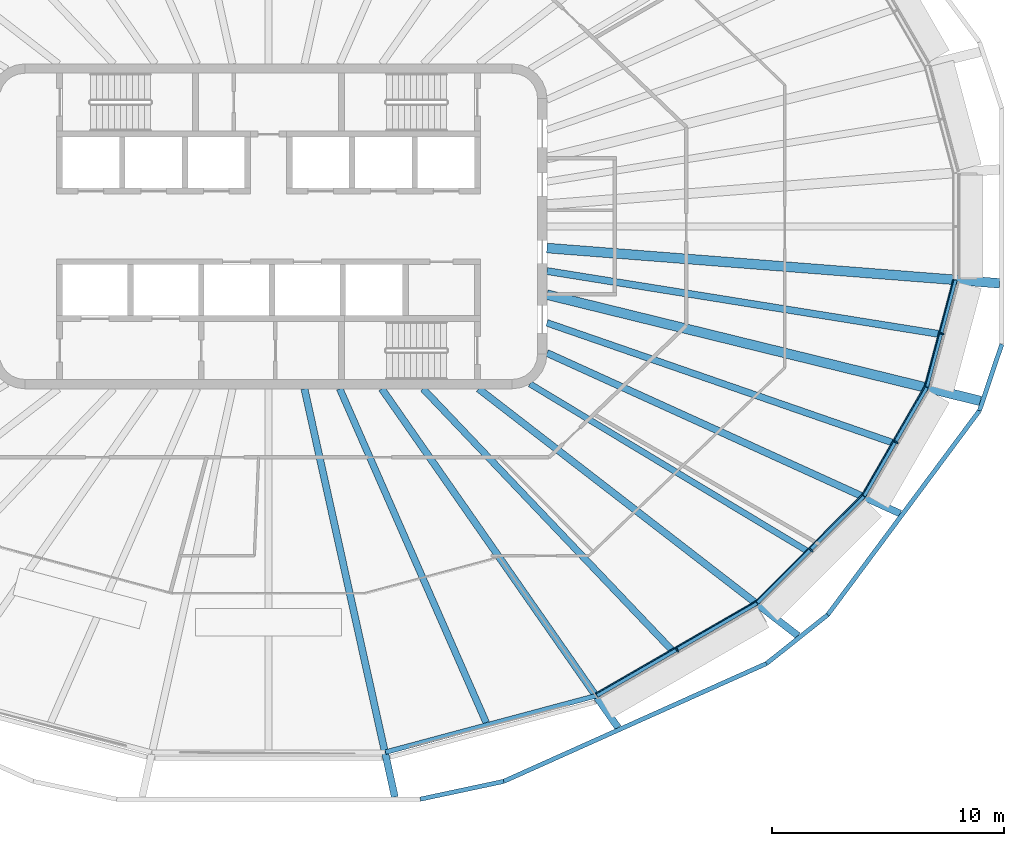
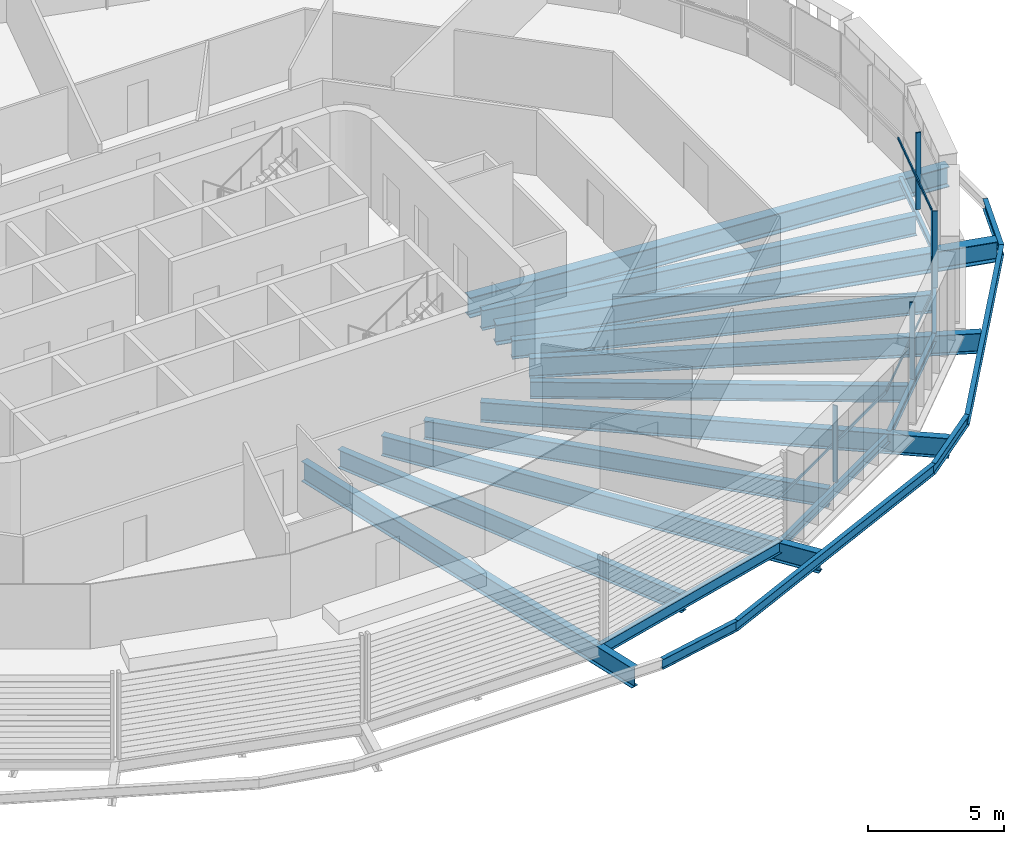
# One storey, part 4 of 20: 21 beams, 8 members, 4 elements without a shape of their own.
"""IFC4 building model written with IfcOpenShell, lengths in metres."""

from ifc_helpers import new_model, si_unit, direction, frame, origin, origin_2d, place, context, subcontext, project, spatial, rectangle, i_section, extrude, material, layer, layer_set, material_profile, profile_set, type_object, element, aggregate, save


model = new_model("IFC4")

# Units and contexts
model_context = context("Model", 3, precision=1e-05, world=origin(), true_north=direction((0.0, 1.0)))
body_context = subcontext(model_context, "Body", "Model", "MODEL_VIEW")
ifc_project = project(units=[si_unit("LENGTHUNIT", "METRE"), si_unit("AREAUNIT", "SQUARE_METRE"), si_unit("VOLUMEUNIT", "CUBIC_METRE"), si_unit("PLANEANGLEUNIT", "RADIAN"), si_unit("MASSUNIT", "GRAM", prefix="KILO")], contexts=[model_context])

# Site, building, storey
site_placement = place(None, origin())
site = spatial("IfcSite", under=ifc_project, at=site_placement, CompositionType="ELEMENT")
building_placement = place(site_placement, origin())
building = spatial("IfcBuilding", under=site, at=building_placement, Name="Sahrelin Media Tower", CompositionType="ELEMENT")
storey_placement = place(building_placement, frame((0.0, 0.0, 271.0)))
storey = spatial("IfcBuildingStorey", under=building, at=storey_placement, Name="L59", CompositionType="ELEMENT", Elevation=271.0)

# Beams
ifc_material_1 = material(Name="Steel S355", Category="steel")
ifc_material_profile_1 = material_profile(ifc_material_1, i_section(OverallWidth=0.14599609375, OverallDepth=0.25146484375, WebThickness=0.006103515625, FlangeThickness=0.008544921875, FilletRadius=0.007568359375, at=origin_2d()), Name="UB 254x146x31")
ifc_profile_set_1 = profile_set([ifc_material_profile_1], Name="Steel S355")
beam_type_1 = type_object("IfcBeamType", Name="Edge beam EB1", PredefinedType="BEAM", material=ifc_profile_set_1)
beam_1_placement = place(storey_placement, frame((29.60400390625, -2.31298828125, -0.275634765625), z_axis=(-0.258765089841, -0.965940281943, 0.0), x_axis=(0.965940281943, -0.258765089841, 0.0)))
element("IfcBeam", 1, at=beam_1_placement, inside=storey, type_object=beam_type_1, Name="Edge beam L59-02", PredefinedType="BEAM", context=body_context, shape_type="SweptSolid", body=[
    extrude(i_section(OverallWidth=0.14599609375, OverallDepth=0.25146484375, WebThickness=0.006103515625, FlangeThickness=0.008544921875, FilletRadius=0.007568359375, at=origin_2d()), origin(), (0.0, 0.0, 1.0), 4.768310546875),
])
ifc_material_profile_2 = material_profile(ifc_material_1, i_section(OverallWidth=0.1650390625, OverallDepth=0.303466796875, WebThickness=0.006103515625, FlangeThickness=0.01025390625, FilletRadius=0.0087890625, at=origin_2d()), Name="UB 305x165x40")
ifc_profile_set_2 = profile_set([ifc_material_profile_2], Name="Steel S355")
beam_type_2 = type_object("IfcBeamType", Name="Edge beam EB2", PredefinedType="BEAM", material=ifc_profile_set_2)
beam_2_placement = place(storey_placement, frame((28.35888671875, -6.945556640625, -0.3017578125), z_axis=(-0.499986373413, -0.866033270955, 0.0), x_axis=(0.866033270955, -0.499986373413, 0.0)))
element("IfcBeam", 2, at=beam_2_placement, inside=storey, type_object=beam_type_2, Name="Edge beam L59-03", PredefinedType="BEAM", context=body_context, shape_type="SweptSolid", body=[
    extrude(i_section(OverallWidth=0.1650390625, OverallDepth=0.303466796875, WebThickness=0.006103515625, FlangeThickness=0.01025390625, FilletRadius=0.0087890625, at=origin_2d()), origin(), (0.0, 0.0, 1.0), 5.391845703125),
])
ifc_material_profile_3 = material_profile(ifc_material_1, i_section(OverallWidth=0.17138671875, OverallDepth=0.35498046875, WebThickness=0.00732421875, FlangeThickness=0.011474609375, FilletRadius=0.01025390625, at=origin_2d()), Name="UB 356x171x51")
ifc_profile_set_3 = profile_set([ifc_material_profile_3], Name="Steel S355")
beam_type_3 = type_object("IfcBeamType", Name="Edge beam EB3", PredefinedType="BEAM", material=ifc_profile_set_3)
beam_3_placement = place(storey_placement, frame((25.6455078125, -11.6376953125, -0.327392578125), z_axis=(-0.707106781187, -0.707106781187, 0.0), x_axis=(0.707106781187, -0.707106781187, 0.0)))
element("IfcBeam", 3, at=beam_3_placement, inside=storey, type_object=beam_type_3, Name="Edge beam L59-04", PredefinedType="BEAM", context=body_context, shape_type="SweptSolid", body=[
    extrude(i_section(OverallWidth=0.17138671875, OverallDepth=0.35498046875, WebThickness=0.00732421875, FlangeThickness=0.011474609375, FilletRadius=0.01025390625, at=origin_2d()), origin(), (0.0, 0.0, 1.0), 6.478271484375),
])
ifc_material_profile_4 = material_profile(ifc_material_1, i_section(OverallWidth=0.177978515625, OverallDepth=0.406494140625, WebThickness=0.0078125, FlangeThickness=0.0126953125, FilletRadius=0.01025390625, at=origin_2d()), Name="UB 406x178x60")
ifc_profile_set_4 = profile_set([ifc_material_profile_4], Name="Steel S355")
beam_type_4 = type_object("IfcBeamType", Name="Edge beam EB4", PredefinedType="BEAM", material=ifc_profile_set_4)
beam_4_placement = place(storey_placement, frame((21.041748046875, -16.236083984375, -0.4033203125), z_axis=(-0.866015400443, -0.500017325895, 0.0), x_axis=(0.500017325895, -0.866015400443, 0.0)))
element("IfcBeam", 4, at=beam_4_placement, inside=storey, type_object=beam_type_4, Name="Edge beam L59-05", PredefinedType="BEAM", context=body_context, shape_type="SweptSolid", body=[
    extrude(i_section(OverallWidth=0.177978515625, OverallDepth=0.406494140625, WebThickness=0.0078125, FlangeThickness=0.0126953125, FilletRadius=0.01025390625, at=origin_2d()), origin(), (0.0, 0.0, 1.0), 7.955322265625),
])
ifc_material_profile_5 = material_profile(ifc_material_1, i_section(OverallWidth=0.208740234375, OverallDepth=0.5283203125, WebThickness=0.009521484375, FlangeThickness=0.01318359375, FilletRadius=0.0126953125, at=origin_2d()), Name="UB 533x210x82")
ifc_profile_set_5 = profile_set([ifc_material_profile_5], Name="Steel S355")
beam_type_5 = type_object("IfcBeamType", Name="Edge beam EB6", PredefinedType="BEAM", material=ifc_profile_set_5)
beam_5_placement = place(storey_placement, frame((14.125732421875, -20.224853515625, -0.464111328125), z_axis=(-0.96592475054, -0.25882305982, 0.0), x_axis=(0.25882305982, -0.96592475054, 0.0)))
element("IfcBeam", 5, at=beam_5_placement, inside=storey, type_object=beam_type_5, Name="Edge beam L59-06", PredefinedType="BEAM", context=body_context, shape_type="SweptSolid", body=[
    extrude(i_section(OverallWidth=0.208740234375, OverallDepth=0.5283203125, WebThickness=0.009521484375, FlangeThickness=0.01318359375, FilletRadius=0.0126953125, at=origin_2d()), origin(), (0.0, 0.0, 1.0), 9.400634765625),
])

# Curtain wall, member
ifc_material_2 = material(Name="Champagne anodised aluminium 6063-T6", Category="aluminium")
ifc_layer = layer(ifc_material_2, 0.14990234375)
ifc_layer_set = layer_set([ifc_layer], Name="Tower ribbon curtain wall")
curtain_wall_type = type_object("IfcCurtainWallType", Name="Tower ribbon curtain wall", PredefinedType="NOTDEFINED", material=ifc_layer_set)
curtain_wall_1_placement = place(storey_placement, frame((17.672119140625, -18.354736328125, 0.0), z_axis=(0.0, 0.0, 1.0), x_axis=(1.0, 0.0, 0.0)))
curtain_wall_1 = element("IfcCurtainWall", 6, at=curtain_wall_1_placement, inside=storey, type_object=curtain_wall_type, Name="L59:CW:L59-20", PredefinedType="NOTDEFINED")
ifc_material_profile_6 = material_profile(ifc_material_2, rectangle(XDim=0.06005859375, YDim=0.199951171875, at=origin_2d()), Name="Mullion 60x200")
ifc_profile_set_6 = profile_set([ifc_material_profile_6], Name="Champagne anodised aluminium 6063-T6")
member_type_1 = type_object("IfcMemberType", Name="Mullion 60x200 CW1C", PredefinedType="MULLION", material=ifc_profile_set_6)
member_1_placement = place(storey_placement, frame((17.612060546875, -18.2509765625, 0.0), z_axis=(0.0, 0.0, 1.0), x_axis=(0.866028021766, 0.499995465495, 0.0)))
member_1 = element("IfcMember", 7, at=member_1_placement, type_object=member_type_1, Name="L59:CWM:L59-20", PredefinedType="MULLION", context=body_context, shape_type="SweptSolid", body=[
    extrude(rectangle(XDim=0.06005859375, YDim=0.199951171875, at=origin_2d()), origin(), (0.0, 0.0, 1.0), 3.448486328125),
])

curtain_wall_2_placement = place(storey_placement, frame((23.461181640625, -14.0341796875, 0.0), z_axis=(0.0, 0.0, 1.0), x_axis=(1.0, 0.0, 0.0)))
curtain_wall_2 = element("IfcCurtainWall", 8, at=curtain_wall_2_placement, inside=storey, type_object=curtain_wall_type, Name="L59:CW:L59-21", PredefinedType="NOTDEFINED")
member_2_placement = place(storey_placement, frame((23.376220703125, -13.949462890625, 0.0), z_axis=(0.0, 0.0, 1.0), x_axis=(0.707114185953, 0.707099376343, 0.0)))
member_2 = element("IfcMember", 9, at=member_2_placement, type_object=member_type_1, Name="L59:CWM:L59-21", PredefinedType="MULLION", context=body_context, shape_type="SweptSolid", body=[
    extrude(rectangle(XDim=0.06005859375, YDim=0.199951171875, at=origin_2d()), origin(), (0.0, 0.0, 1.0), 3.448486328125),
])

curtain_wall_3_placement = place(storey_placement, frame((27.14111328125, -9.355224609375, 0.0), z_axis=(0.0, 0.0, 1.0), x_axis=(1.0, 0.0, 0.0)))
curtain_wall_3 = element("IfcCurtainWall", 10, at=curtain_wall_3_placement, inside=storey, type_object=curtain_wall_type, Name="L59:CW:L59-22", PredefinedType="NOTDEFINED")
member_3_placement = place(storey_placement, frame((27.037109375, -9.295166015625, 0.0), z_axis=(0.0, 0.0, 1.0), x_axis=(0.499989419466, 0.866031512372, 0.0)))
member_3 = element("IfcMember", 11, at=member_3_placement, type_object=member_type_1, Name="L59:CWM:L59-22", PredefinedType="MULLION", context=body_context, shape_type="SweptSolid", body=[
    extrude(rectangle(XDim=0.06005859375, YDim=0.199951171875, at=origin_2d()), origin(), (0.0, 0.0, 1.0), 3.448486328125),
])

curtain_wall_4_placement = place(storey_placement, frame((29.132080078125, -4.65478515625, 0.0), z_axis=(0.0, 0.0, 1.0), x_axis=(1.0, 0.0, 0.0)))
curtain_wall_4 = element("IfcCurtainWall", 12, at=curtain_wall_4_placement, inside=storey, type_object=curtain_wall_type, Name="L59:CW:L59-23", PredefinedType="NOTDEFINED")
member_4_placement = place(storey_placement, frame((29.01611328125, -4.62353515625, 0.0), z_axis=(0.0, 0.0, 1.0), x_axis=(0.258817359244, 0.965926278012, 0.0)))
member_4 = element("IfcMember", 13, at=member_4_placement, type_object=member_type_1, Name="L59:CWM:L59-23", PredefinedType="MULLION", context=body_context, shape_type="SweptSolid", body=[
    extrude(rectangle(XDim=0.06005859375, YDim=0.199951171875, at=origin_2d()), origin(), (0.0, 0.0, 1.0), 3.448486328125),
])

# Beams
ifc_material_profile_7 = material_profile(ifc_material_1, i_section(OverallWidth=0.30322265625, OverallDepth=0.903076171875, WebThickness=0.01513671875, FlangeThickness=0.020263671875, FilletRadius=0.01904296875, at=origin_2d()), Name="UB 914x305x201")
ifc_profile_set_7 = profile_set([ifc_material_profile_7], Name="Steel S355")
beam_type_6 = type_object("IfcBeamType", Name="Radial primary beam PB11", PredefinedType="BEAM", material=ifc_profile_set_7)
beam_6_placement = place(storey_placement, frame((1.550048828125, -7.0, -0.651611328125), z_axis=(0.216179890333, -0.976353550214, 0.0), x_axis=(0.976353550214, 0.216179890333, 0.0)))
element("IfcBeam", 14, at=beam_6_placement, inside=storey, type_object=beam_type_6, Name="Radial beam L59-19", PredefinedType="BEAM", context=body_context, shape_type="SweptSolid", body=[
    extrude(i_section(OverallWidth=0.30322265625, OverallDepth=0.903076171875, WebThickness=0.01513671875, FlangeThickness=0.020263671875, FilletRadius=0.01904296875, at=origin_2d()), origin(), (0.0, 0.0, 1.0), 18.01416015625),
])
beam_7_placement = place(storey_placement, frame((4.881103515625, -7.0, -0.651611328125), z_axis=(0.571979497162, -0.820267916492, 0.0), x_axis=(0.820267916492, 0.571979497162, 0.0)))
element("IfcBeam", 15, at=beam_7_placement, inside=storey, type_object=beam_type_6, Name="Radial beam L59-20", PredefinedType="BEAM", context=body_context, shape_type="SweptSolid", body=[
    extrude(i_section(OverallWidth=0.30322265625, OverallDepth=0.903076171875, WebThickness=0.01513671875, FlangeThickness=0.020263671875, FilletRadius=0.01904296875, at=origin_2d()), origin(), (0.0, 0.0, 1.0), 17.801513671875),
])
beam_8_placement = place(storey_placement, frame((9.05419921875, -7.0, -0.6015625), z_axis=(0.791130322108, -0.611647621954, 0.0), x_axis=(0.611647621954, 0.791130322108, 0.0)))
element("IfcBeam", 16, at=beam_8_placement, inside=storey, type_object=beam_type_6, Name="Radial beam L59-21", PredefinedType="BEAM", context=body_context, shape_type="SweptSolid", body=[
    extrude(i_section(OverallWidth=0.30322265625, OverallDepth=0.903076171875, WebThickness=0.01513671875, FlangeThickness=0.020263671875, FilletRadius=0.01904296875, at=origin_2d()), origin(), (0.0, 0.0, 1.0), 17.3935546875),
])
beam_9_placement = place(storey_placement, frame((12.0, -5.4560546875, -0.6015625), z_axis=(0.910323966554, -0.413896455551, 0.0), x_axis=(0.413896455551, 0.910323966554, 0.0)))
element("IfcBeam", 17, at=beam_9_placement, inside=storey, type_object=beam_type_6, Name="Radial beam L59-22", PredefinedType="BEAM", context=body_context, shape_type="SweptSolid", body=[
    extrude(i_section(OverallWidth=0.30322265625, OverallDepth=0.903076171875, WebThickness=0.01513671875, FlangeThickness=0.020263671875, FilletRadius=0.01904296875, at=origin_2d()), origin(), (0.0, 0.0, 1.0), 16.719482421875),
])
ifc_material_profile_8 = material_profile(ifc_material_1, i_section(OverallWidth=0.41845703125, OverallDepth=0.911865234375, WebThickness=0.019287109375, FlangeThickness=0.031982421875, FilletRadius=0.024169921875, at=origin_2d()), Name="UB 914x419x343")
ifc_profile_set_8 = profile_set([ifc_material_profile_8], Name="Steel S355")
beam_type_7 = type_object("IfcBeamType", Name="Radial primary beam PB12", PredefinedType="BEAM", material=ifc_profile_set_8)
beam_10_placement = place(storey_placement, frame((12.0, -2.94287109375, -0.60595703125), z_axis=(0.971221651072, -0.238177464278, 0.0), x_axis=(0.238177464278, 0.971221651072, 0.0)))
element("IfcBeam", 18, at=beam_10_placement, inside=storey, type_object=beam_type_7, Name="Radial beam L59-23", PredefinedType="BEAM", context=body_context, shape_type="SweptSolid", body=[
    extrude(i_section(OverallWidth=0.41845703125, OverallDepth=0.911865234375, WebThickness=0.019287109375, FlangeThickness=0.031982421875, FilletRadius=0.024169921875, at=origin_2d()), origin(), (0.0, 0.0, 1.0), 19.228759765625),
])
beam_11_placement = place(storey_placement, frame((12.0, -0.93505859375, -0.60595703125), z_axis=(0.996978458217, -0.077678528898, 0.0), x_axis=(0.077678528898, 0.996978458217, 0.0)))
element("IfcBeam", 19, at=beam_11_placement, inside=storey, type_object=beam_type_7, Name="Radial beam L59-24", PredefinedType="BEAM", context=body_context, shape_type="SweptSolid", body=[
    extrude(i_section(OverallWidth=0.41845703125, OverallDepth=0.911865234375, WebThickness=0.019287109375, FlangeThickness=0.031982421875, FilletRadius=0.024169921875, at=origin_2d()), origin(), (0.0, 0.0, 1.0), 19.561767578125),
])
ifc_material_profile_9 = material_profile(ifc_material_1, i_section(OverallWidth=0.291748046875, OverallDepth=0.8349609375, WebThickness=0.013916015625, FlangeThickness=0.018798828125, FilletRadius=0.017822265625, at=origin_2d()), Name="UB 838x292x176")
ifc_profile_set_9 = profile_set([ifc_material_profile_9], Name="Steel S355")
beam_type_8 = type_object("IfcBeamType", Name="Radial secondary beam SB10", PredefinedType="BEAM", material=ifc_profile_set_9)
beam_12_placement = place(storey_placement, frame((3.07080078125, -7.0, -0.617431640625), z_axis=(0.40173488582, -0.915756016368, 0.0), x_axis=(0.915756016368, 0.40173488582, 0.0)))
element("IfcBeam", 20, at=beam_12_placement, inside=storey, type_object=beam_type_8, Name="Secondary beam L59-19", PredefinedType="BEAM", context=body_context, shape_type="SweptSolid", body=[
    extrude(i_section(OverallWidth=0.291748046875, OverallDepth=0.8349609375, WebThickness=0.013916015625, FlangeThickness=0.018798828125, FilletRadius=0.017822265625, at=origin_2d()), origin(), (0.0, 0.0, 1.0), 15.711181640625),
])
beam_13_placement = place(storey_placement, frame((6.66357421875, -7.0, -0.5673828125), z_axis=(0.689494250155, -0.724291156237, 0.0), x_axis=(0.724291156237, 0.689494250155, 0.0)))
element("IfcBeam", 21, at=beam_13_placement, inside=storey, type_object=beam_type_8, Name="Secondary beam L59-20", PredefinedType="BEAM", context=body_context, shape_type="SweptSolid", body=[
    extrude(i_section(OverallWidth=0.291748046875, OverallDepth=0.8349609375, WebThickness=0.013916015625, FlangeThickness=0.018798828125, FilletRadius=0.017822265625, at=origin_2d()), origin(), (0.0, 0.0, 1.0), 15.53369140625),
])
beam_14_placement = place(storey_placement, frame((12.0, -4.15869140625, -0.5673828125), z_axis=(0.94486335914, -0.327464856977, 0.0), x_axis=(0.327464856977, 0.94486335914, 0.0)))
element("IfcBeam", 22, at=beam_14_placement, inside=storey, type_object=beam_type_8, Name="Secondary beam L59-22", PredefinedType="BEAM", context=body_context, shape_type="SweptSolid", body=[
    extrude(i_section(OverallWidth=0.291748046875, OverallDepth=0.8349609375, WebThickness=0.013916015625, FlangeThickness=0.018798828125, FilletRadius=0.017822265625, at=origin_2d()), origin(), (0.0, 0.0, 1.0), 15.76171875),
])
ifc_material_profile_10 = material_profile(ifc_material_1, i_section(OverallWidth=0.30322265625, OverallDepth=0.903076171875, WebThickness=0.01513671875, FlangeThickness=0.020263671875, FilletRadius=0.01904296875, at=origin_2d()), Name="UB 914x305x201")
ifc_profile_set_10 = profile_set([ifc_material_profile_10], Name="Steel S355")
beam_type_9 = type_object("IfcBeamType", Name="Radial secondary beam SB11", PredefinedType="BEAM", material=ifc_profile_set_10)
beam_15_placement = place(storey_placement, frame((12.0, -1.92578125, -0.6015625), z_axis=(0.987364974121, -0.158462638747, 0.0), x_axis=(0.158462638747, 0.987364974121, 0.0)))
element("IfcBeam", 23, at=beam_15_placement, inside=storey, type_object=beam_type_9, Name="Secondary beam L59-23", PredefinedType="BEAM", context=body_context, shape_type="SweptSolid", body=[
    extrude(i_section(OverallWidth=0.30322265625, OverallDepth=0.903076171875, WebThickness=0.01513671875, FlangeThickness=0.020263671875, FilletRadius=0.01904296875, at=origin_2d()), origin(), (0.0, 0.0, 1.0), 17.12158203125),
])
ifc_material_profile_11 = material_profile(ifc_material_1, i_section(OverallWidth=0.26513671875, OverallDepth=0.75390625, WebThickness=0.0126953125, FlangeThickness=0.017578125, FilletRadius=0.0166015625, at=origin_2d()), Name="UB 762x267x147")
ifc_profile_set_11 = profile_set([ifc_material_profile_11], Name="Steel S355")
beam_type_10 = type_object("IfcBeamType", Name="Radial secondary beam SB9", PredefinedType="BEAM", material=ifc_profile_set_11)
beam_16_placement = place(storey_placement, frame((11.26318359375, -6.788818359375, -0.527099609375), z_axis=(0.856452909248, -0.516225158473, 0.0), x_axis=(0.516225158473, 0.856452909248, 0.0)))
element("IfcBeam", 24, at=beam_16_placement, inside=storey, type_object=beam_type_10, Name="Secondary beam L59-21", PredefinedType="BEAM", context=body_context, shape_type="SweptSolid", body=[
    extrude(i_section(OverallWidth=0.26513671875, OverallDepth=0.75390625, WebThickness=0.0126953125, FlangeThickness=0.017578125, FilletRadius=0.0166015625, at=origin_2d()), origin(), (0.0, 0.0, 1.0), 13.921875),
])
ifc_material_profile_12 = material_profile(ifc_material_1, i_section(OverallWidth=0.1904296875, OverallDepth=0.45703125, WebThickness=0.009033203125, FlangeThickness=0.014404296875, FilletRadius=0.01025390625, at=origin_2d()), Name="UB 457x191x74")
ifc_profile_set_12 = profile_set([ifc_material_profile_12], Name="Steel S355")
beam_type_11 = type_object("IfcBeamType", Name="Tie chord TC5", PredefinedType="BEAM", material=ifc_profile_set_12)
beam_17_placement = place(storey_placement, frame((6.54052734375, -24.683349609375, -0.37841796875), z_axis=(0.977988679387, 0.208657956932, 0.0), x_axis=(-0.208657956932, 0.977988679387, 0.0)))
element("IfcBeam", 25, at=beam_17_placement, inside=storey, type_object=beam_type_11, Name="Tie chord L59-19", PredefinedType="BEAM", context=body_context, shape_type="SweptSolid", body=[
    extrude(i_section(OverallWidth=0.1904296875, OverallDepth=0.45703125, WebThickness=0.009033203125, FlangeThickness=0.014404296875, FilletRadius=0.01025390625, at=origin_2d()), origin(), (0.0, 0.0, 1.0), 3.675048828125),
])
beam_18_placement = place(storey_placement, frame((10.134765625, -23.91650390625, -0.37841796875), z_axis=(0.912453885524, 0.409179553242, 0.0), x_axis=(-0.409179553242, 0.912453885524, 0.0)))
element("IfcBeam", 26, at=beam_18_placement, inside=storey, type_object=beam_type_11, Name="Tie chord L59-20", PredefinedType="BEAM", context=body_context, shape_type="SweptSolid", body=[
    extrude(i_section(OverallWidth=0.1904296875, OverallDepth=0.45703125, WebThickness=0.009033203125, FlangeThickness=0.014404296875, FilletRadius=0.01025390625, at=origin_2d()), origin(), (0.0, 0.0, 1.0), 12.415283203125),
])
beam_19_placement = place(storey_placement, frame((21.463134765625, -18.83642578125, -0.37841796875), z_axis=(0.782297174171, 0.622905395132, 0.0), x_axis=(-0.622905395132, 0.782297174171, 0.0)))
element("IfcBeam", 27, at=beam_19_placement, inside=storey, type_object=beam_type_11, Name="Tie chord L59-21", PredefinedType="BEAM", context=body_context, shape_type="SweptSolid", body=[
    extrude(i_section(OverallWidth=0.1904296875, OverallDepth=0.45703125, WebThickness=0.009033203125, FlangeThickness=0.014404296875, FilletRadius=0.01025390625, at=origin_2d()), origin(), (0.0, 0.0, 1.0), 3.363525390625),
])
beam_20_placement = place(storey_placement, frame((24.094482421875, -16.7412109375, -0.37841796875), z_axis=(0.596549063613, 0.802576609865, 0.0), x_axis=(-0.802576609865, 0.596549063613, 0.0)))
element("IfcBeam", 28, at=beam_20_placement, inside=storey, type_object=beam_type_11, Name="Tie chord L59-22", PredefinedType="BEAM", context=body_context, shape_type="SweptSolid", body=[
    extrude(i_section(OverallWidth=0.1904296875, OverallDepth=0.45703125, WebThickness=0.009033203125, FlangeThickness=0.014404296875, FilletRadius=0.01025390625, at=origin_2d()), origin(), (0.0, 0.0, 1.0), 10.963623046875),
])
beam_21_placement = place(storey_placement, frame((30.634765625, -7.942138671875, -0.37841796875), z_axis=(0.318942941821, 0.947773918117, 0.0), x_axis=(-0.947773918117, 0.318942941821, 0.0)))
element("IfcBeam", 29, at=beam_21_placement, inside=storey, type_object=beam_type_11, Name="Tie chord L59-23", PredefinedType="BEAM", context=body_context, shape_type="SweptSolid", body=[
    extrude(i_section(OverallWidth=0.1904296875, OverallDepth=0.45703125, WebThickness=0.009033203125, FlangeThickness=0.014404296875, FilletRadius=0.01025390625, at=origin_2d()), origin(), (0.0, 0.0, 1.0), 3.019775390625),
])

# Member
ifc_material_profile_13 = material_profile(ifc_material_2, rectangle(XDim=0.050048828125, YDim=0.1201171875, at=origin_2d()), Name="Transom 50x120")
ifc_profile_set_13 = profile_set([ifc_material_profile_13], Name="Champagne anodised aluminium 6063-T6")
member_type_2 = type_object("IfcMemberType", Name="Transom 50x120 CW1C", PredefinedType="USERDEFINED", material=ifc_profile_set_13)
member_5_placement = place(storey_placement, frame((14.118408203125, -20.12353515625, 1.60009765625), z_axis=(0.866027556635, 0.499996271135, 0.0), x_axis=(-0.499996271135, 0.866027556635, 0.0)))
member_5 = element("IfcMember", 30, at=member_5_placement, type_object=member_type_2, Name="L59:CWT:L59-20", ObjectType="TRANSOM", PredefinedType="USERDEFINED", context=body_context, shape_type="SweptSolid", body=[
    extrude(rectangle(XDim=0.050048828125, YDim=0.1201171875, at=origin_2d()), origin(), (0.0, 0.0, 1.0), 7.923828125),
])

aggregate(curtain_wall_1, [member_1, member_5])

member_6_placement = place(storey_placement, frame((21.008544921875, -16.140380859375, 1.60009765625), z_axis=(0.707125715376, 0.70708784649, 0.0), x_axis=(-0.70708784649, 0.707125715376, 0.0)))
member_6 = element("IfcMember", 31, at=member_6_placement, type_object=member_type_2, Name="L59:CWT:L59-21", ObjectType="TRANSOM", PredefinedType="USERDEFINED", context=body_context, shape_type="SweptSolid", body=[
    extrude(rectangle(XDim=0.050048828125, YDim=0.1201171875, at=origin_2d()), origin(), (0.0, 0.0, 1.0), 6.447021484375),
])

aggregate(curtain_wall_2, [member_2, member_6])

member_7_placement = place(storey_placement, frame((25.588623046875, -11.5537109375, 1.60009765625), z_axis=(0.500008949224, 0.866020236886, 0.0), x_axis=(-0.866020236886, 0.500008949224, 0.0)))
member_7 = element("IfcMember", 32, at=member_7_placement, type_object=member_type_2, Name="L59:CWT:L59-22", ObjectType="TRANSOM", PredefinedType="USERDEFINED", context=body_context, shape_type="SweptSolid", body=[
    extrude(rectangle(XDim=0.050048828125, YDim=0.1201171875, at=origin_2d()), origin(), (0.0, 0.0, 1.0), 5.3603515625),
])

aggregate(curtain_wall_3, [member_3, member_7])

member_8_placement = place(storey_placement, frame((28.2822265625, -6.879150390625, 1.60009765625), z_axis=(0.258823672637, 0.965924586333, 0.0), x_axis=(-0.965924586333, 0.258823672637, 0.0)))
member_8 = element("IfcMember", 33, at=member_8_placement, type_object=member_type_2, Name="L59:CWT:L59-23", ObjectType="TRANSOM", PredefinedType="USERDEFINED", context=body_context, shape_type="SweptSolid", body=[
    extrude(rectangle(XDim=0.050048828125, YDim=0.1201171875, at=origin_2d()), origin(), (0.0, 0.0, 1.0), 4.737060546875),
])

aggregate(curtain_wall_4, [member_4, member_8])

save(model, "model.ifc")
